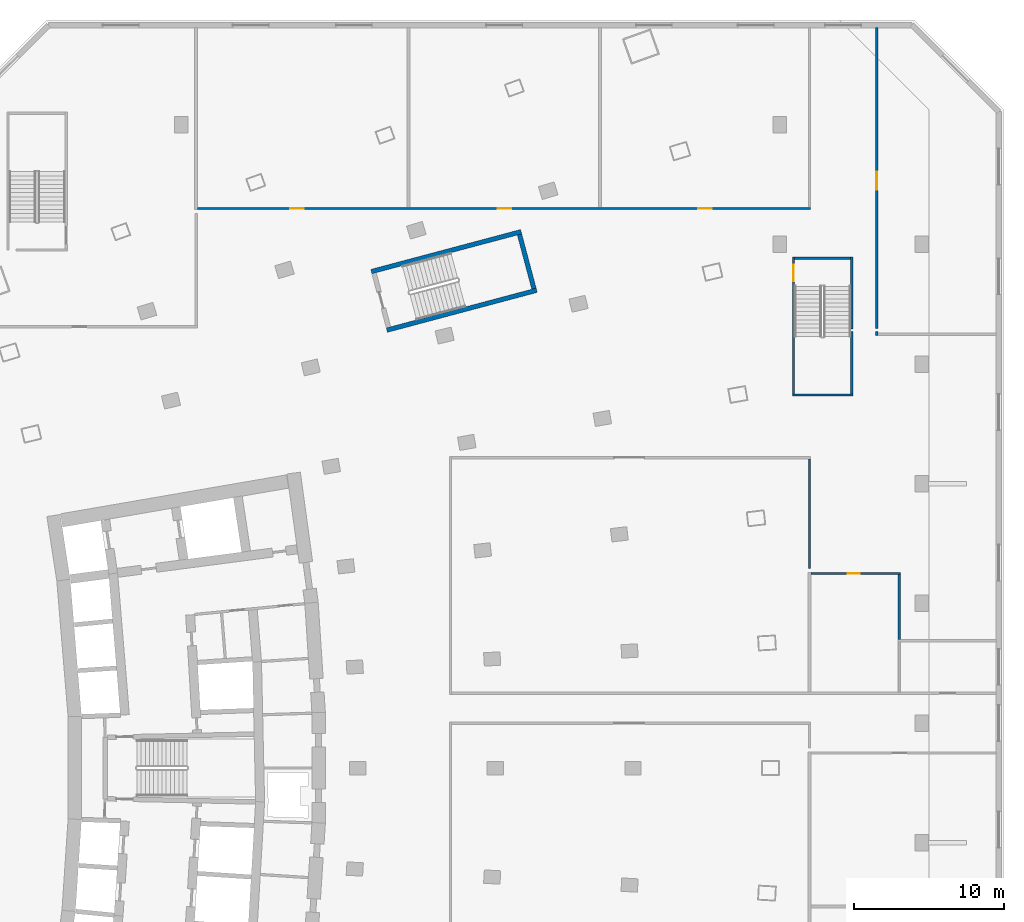
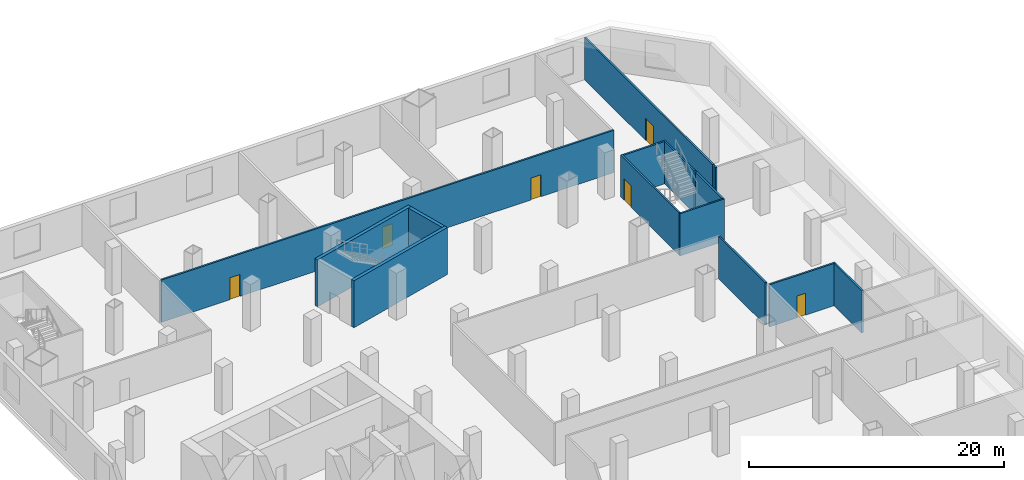
# One storey, part 9 of 16: 14 walls, 6 doors, 6 openings.
"""IFC4 building model written with IfcOpenShell, lengths in metres."""

import ifcopenshell
import ifcopenshell.guid

model = None  # the IFC model being written
_history = None  # IfcOwnerHistory: only IFC2X3 demands one
_inside = {}  # id of a spatial element -> (the spatial element, [elements in it])
_under = {}  # id of a project, library or spatial element -> (it, [spatial elements below it])
_declared = {}  # id of a project -> (the project, [libraries it declares])
_typed = {}  # id of a type object -> (the type object, [elements of that type])
_made_of = {}  # id of a material, layer set ... -> (it, [elements and type objects made of it])


def new_model(schema):
    """Start an empty IFC model of exactly this schema.

    Asked for "IFC4X3", IfcOpenShell would pick the latest addendum, in which some entities
    have other attributes; the version numbers below select the first issue.
    IFC2X3 requires an IfcOwnerHistory on every rooted entity: one is made here for all.
    """
    global model, _history
    if schema == "IFC4X3":
        model = ifcopenshell.file(schema_version=(4, 3, 0, 0))
    else:
        model = ifcopenshell.file(schema=schema)
    _inside.clear()
    _under.clear()
    _declared.clear()
    _typed.clear()
    _made_of.clear()
    _history = None
    if model.schema == "IFC2X3":
        org = make("IfcOrganization", Name="unknown")
        user = make(
            "IfcPersonAndOrganization",
            ThePerson=make("IfcPerson", FamilyName="unknown"),
            TheOrganization=org,
        )
        app = make(
            "IfcApplication",
            ApplicationDeveloper=org,
            Version="unknown",
            ApplicationFullName="unknown",
            ApplicationIdentifier="unknown",
        )
        _history = make(
            "IfcOwnerHistory",
            OwningUser=user,
            OwningApplication=app,
            ChangeAction="ADDED",
            CreationDate=0,
        )
    return model


def make(cls, **values):
    """One entity of the class cls with the attributes given. An attribute that is None is left unset."""
    return model.create_entity(
        cls, **{name: value for name, value in values.items() if value is not None}
    )


def rooted(cls, **values):
    """An entity with a GlobalId (a new one), such as an element, a storey or a relation."""
    return make(cls, GlobalId=ifcopenshell.guid.new(), OwnerHistory=_history, **values)


def si_unit(unit_type, name, prefix=None):
    """IfcSIUnit, for example si_unit("LENGTHUNIT", "METRE", prefix="MILLI")."""
    return make("IfcSIUnit", UnitType=unit_type, Prefix=prefix, Name=name)


def assignment(units):
    """IfcUnitAssignment: the units of a project."""
    return None if units is None else make("IfcUnitAssignment", Units=units)


def point(xyz):
    """IfcCartesianPoint."""
    return None if xyz is None else make("IfcCartesianPoint", Coordinates=xyz)


def direction(xyz):
    """IfcDirection."""
    return None if xyz is None else make("IfcDirection", DirectionRatios=xyz)


def frame(location, z_axis=None, x_axis=None):
    """IfcAxis2Placement3D, a coordinate frame: its origin and axes. An axis left out is left unset."""
    return make(
        "IfcAxis2Placement3D",
        Location=point(location),
        Axis=direction(z_axis),
        RefDirection=direction(x_axis),
    )


def frame_2d(location, x_axis=None):
    """IfcAxis2Placement2D, a coordinate frame in the plane: its origin and x axis."""
    return make(
        "IfcAxis2Placement2D", Location=point(location), RefDirection=direction(x_axis)
    )


def origin():
    """The frame at (0, 0, 0) with its axes left unset."""
    return frame((0.0, 0.0, 0.0))


def place(relative_to, where):
    """IfcLocalPlacement: puts the frame where relative to a parent placement (None: the world)."""
    return make(
        "IfcLocalPlacement", PlacementRelTo=relative_to, RelativePlacement=where
    )


def context(
    kind, dimensions, precision=None, world=None, true_north=None, identifier=None
):
    """IfcGeometricRepresentationContext, for example the 3D "Model" context."""
    return make(
        "IfcGeometricRepresentationContext",
        ContextIdentifier=identifier,
        ContextType=kind,
        CoordinateSpaceDimension=dimensions,
        Precision=precision,
        WorldCoordinateSystem=world,
        TrueNorth=true_north,
    )


def subcontext(parent, identifier, kind, view, scale=None):
    """IfcGeometricRepresentationSubContext, for example "Body" below "Model"."""
    return make(
        "IfcGeometricRepresentationSubContext",
        ContextIdentifier=identifier,
        ContextType=kind,
        ParentContext=parent,
        TargetScale=scale,
        TargetView=view,
    )


def project(units=None, contexts=None):
    """IfcProject with its units and contexts."""
    return rooted(
        "IfcProject",
        Name="project",
        RepresentationContexts=contexts,
        UnitsInContext=assignment(units),
    )


def spatial(cls, under=None, at=None, **own):
    """A site, building, storey or space (cls), placed at a placement, below another one or the project."""
    s = rooted(cls, ObjectPlacement=at, **own)
    if under is not None:
        _under.setdefault(under.id(), (under, []))[1].append(s)
    return s


def profile(cls, at=None, kind="AREA", **sizes):
    """A parametric profile (cls). Its sizes go by their IFC names, for example OverallWidth=200.0."""
    return make(cls, ProfileType=kind, Position=at, **sizes)


def rectangle(**sizes):
    """IfcRectangleProfileDef."""
    return profile("IfcRectangleProfileDef", **sizes)


def extrude(swept, where, along, depth):
    """IfcExtrudedAreaSolid: the profile swept, set in the frame where, extruded along a direction by depth."""
    return make(
        "IfcExtrudedAreaSolid",
        SweptArea=swept,
        Position=where,
        ExtrudedDirection=direction(along),
        Depth=depth,
    )


def shape(context_of_items, identifier, shape_type, items):
    """IfcShapeRepresentation: the items that make up one representation, for example the "Body"."""
    return make(
        "IfcShapeRepresentation",
        ContextOfItems=context_of_items,
        RepresentationIdentifier=identifier,
        RepresentationType=shape_type,
        Items=items,
    )


def material(Name=None, Category=None):
    """IfcMaterial."""
    return make("IfcMaterial", Name=Name, Category=Category)


def layer(
    of_material, thickness, ventilated=None, Name=None, Category=None, Priority=None
):
    """IfcMaterialLayer: one layer of a wall or slab, of a material (None: an air gap)."""
    return make(
        "IfcMaterialLayer",
        Material=of_material,
        LayerThickness=thickness,
        IsVentilated=ventilated,
        Name=Name,
        Category=Category,
        Priority=Priority,
    )


def layer_set(layers, Name=None):
    """IfcMaterialLayerSet."""
    return make("IfcMaterialLayerSet", MaterialLayers=layers, LayerSetName=Name)


def made_of(thing, what):
    """Note that an element or type object is made of a material, layer set ...; save() writes the relation."""
    if what is not None:
        _made_of.setdefault(what.id(), (what, []))[1].append(thing)
    return thing


def type_object(cls, material=None, **own):
    """A type object (cls), such as IfcWallType, which elements share."""
    return made_of(rooted(cls, **own), material)


def element(
    cls,
    number,
    at=None,
    inside=None,
    cuts=None,
    type_object=None,
    material=None,
    context=None,
    identifier="Body",
    shape_type=None,
    held_by="IfcProductDefinitionShape",
    body=None,
    shapes=None,
    **own,
):
    """One element of the class cls, such as IfcWall. Its Tag is "e" and its number.

    at: its placement. inside: the storey or other place that contains it. cuts: it is an
    opening in that element (IfcRelVoidsElement). A single representation is given by context,
    identifier, shape_type and body (its items); several are given by shapes. held_by: the class
    of the entity that holds the representations. save() writes the other relations.
    """
    e = rooted(cls, Tag="e%d" % number, ObjectPlacement=at, **own)
    if body is not None:
        shapes = [shape(context, identifier, shape_type, body)]
    if shapes is not None:
        e.Representation = make(held_by, Representations=shapes)
    if inside is not None:
        _inside.setdefault(inside.id(), (inside, []))[1].append(e)
    if cuts is not None:
        rooted(
            "IfcRelVoidsElement", RelatingBuildingElement=cuts, RelatedOpeningElement=e
        )
    if type_object is not None:
        _typed.setdefault(type_object.id(), (type_object, []))[1].append(e)
    return made_of(e, material)


def fill(opening, filler):
    """IfcRelFillsElement: the door or window that sits in an opening."""
    return rooted(
        "IfcRelFillsElement",
        RelatingOpeningElement=opening,
        RelatedBuildingElement=filler,
    )


def aggregate(whole, parts):
    """IfcRelAggregates: a whole, such as a stair, and the parts it consists of."""
    return rooted("IfcRelAggregates", RelatingObject=whole, RelatedObjects=parts)


def save(model, path):
    """Write the relations noted so far, then the file.

    IfcRelAggregates (storeys below a building ...), IfcRelContainedInSpatialStructure (elements
    in a storey), IfcRelDefinesByType, IfcRelAssociatesMaterial and IfcRelDeclares: one each for
    every whole, place, type object, material and project.
    """
    for whole, parts in _under.values():
        aggregate(whole, parts)
    for where, things in _inside.values():
        rooted(
            "IfcRelContainedInSpatialStructure",
            RelatedElements=things,
            RelatingStructure=where,
        )
    for kind, things in _typed.values():
        rooted("IfcRelDefinesByType", RelatedObjects=things, RelatingType=kind)
    for what, things in _made_of.values():
        rooted("IfcRelAssociatesMaterial", RelatedObjects=things, RelatingMaterial=what)
    for by, libraries in _declared.values():
        rooted("IfcRelDeclares", RelatingContext=by, RelatedDefinitions=libraries)
    model.write(path)


model = new_model("IFC4")

# Units and contexts
model_context = context("Model", 3, precision=1e-05, world=origin(), true_north=direction((0.0, 1.0)))
body_context = subcontext(model_context, "Body", "Model", "MODEL_VIEW")
ifc_project = project(units=[si_unit("LENGTHUNIT", "METRE"), si_unit("AREAUNIT", "SQUARE_METRE"), si_unit("VOLUMEUNIT", "CUBIC_METRE"), si_unit("PLANEANGLEUNIT", "RADIAN"), si_unit("MASSUNIT", "GRAM", prefix="KILO")], contexts=[model_context])

# Site, building, storey
site_placement = place(None, origin())
site = spatial("IfcSite", under=ifc_project, at=site_placement, CompositionType="ELEMENT")
building_placement = place(site_placement, origin())
building = spatial("IfcBuilding", under=site, at=building_placement, Name="Alderwake Tower", CompositionType="ELEMENT")
storey_placement = place(building_placement, frame((0.0, 0.0, 18.5)))
storey = spatial("IfcBuildingStorey", under=building, at=storey_placement, Name="L03", CompositionType="ELEMENT", Elevation=18.5)

# Walls
ifc_material_1 = material(Name="Concrete C70/85", Category="concrete")
ifc_layer_1 = layer(ifc_material_1, 0.300048828125)
ifc_layer_set_1 = layer_set([ifc_layer_1], Name="Core wall stair enclosure 300 C70-85")
wall_type_1 = type_object("IfcWallType", Name="Core wall stair enclosure 300 C70-85", PredefinedType="SHEAR", material=ifc_layer_set_1)
for number, where, z_axis, x_axis, name in (
    (1, (36.71142578125, 94.182373046875, 0.0), (0.0, 0.0, 1.0), (0.966309214305, 0.257383958996, 0.0), "Core wall CW.082"),
    (2, (37.75390625, 90.268798828125, 0.0), (0.0, 0.0, 1.0), (0.966309214305, 0.257383958996, 0.0), "Core wall CW.084"),
):
    element("IfcWall", number, at=place(storey_placement, frame(where, z_axis=z_axis, x_axis=x_axis)), inside=storey, type_object=wall_type_1, Name=name, PredefinedType="SHEAR", context=body_context, shape_type="SweptSolid", body=[
        extrude(rectangle(XDim=10.360107421875, YDim=0.300048828125, at=frame_2d((5.18017578125, 0.0))), origin(), (0.0, 0.0, 1.0), 4.5),
    ])
wall_1_placement = place(storey_placement, frame((47.581298828125, 93.041748046875, 0.0), z_axis=(0.0, 0.0, 1.0), x_axis=(-0.257366821694, 0.966313778796, 0.0)))
element("IfcWall", 3, at=wall_1_placement, inside=storey, type_object=wall_type_1, Name="Core wall CW.081", PredefinedType="SHEAR", context=body_context, shape_type="SweptSolid", body=[
    extrude(rectangle(XDim=3.749755859375, YDim=0.300048828125, at=frame_2d((1.875, 0.0))), origin(), (0.0, 0.0, 1.0), 4.5),
])

# Wall, openings, doors
ifc_material_2 = material(Name="Gypsum board on metal studs, rated")
ifc_layer_2 = layer(ifc_material_2, 0.159912109375)
ifc_layer_set_2 = layer_set([ifc_layer_2], Name="Corridor wall 160")
wall_type_2 = type_object("IfcWallType", Name="Corridor wall 160", PredefinedType="PARTITIONING", material=ifc_layer_set_2)
wall_2_placement = place(storey_placement, frame((66.080078125, 98.39990234375, 0.0), z_axis=(0.0, 0.0, 1.0), x_axis=(-1.0, 0.0, 0.0)))
wall_2 = element("IfcWall", 4, at=wall_2_placement, inside=storey, type_object=wall_type_2, Name="WL/L03/W32", PredefinedType="PARTITIONING", context=body_context, shape_type="SweptSolid", body=[
    extrude(rectangle(XDim=40.98095703125, YDim=0.159912109375, at=frame_2d((20.490478515625, 0.0))), origin(), (0.0, 0.0, 1.0), 4.050048828125),
])
opening_1_placement = place(wall_2_placement, frame((33.87890625, 0.0, 0.0)))
opening_1 = element("IfcOpeningElement", 5, at=opening_1_placement, cuts=wall_2, Name="Opening L03-04", PredefinedType="OPENING", context=body_context, shape_type="SweptSolid", body=[
    extrude(rectangle(XDim=0.89990234375, YDim=2.10009765625, at=frame_2d((0.449951171875, 1.050048828125))), frame((0.0, 0.08984375, 0.0), z_axis=(0.0, -1.0, 0.0), x_axis=(1.0, 0.0, 0.0)), (0.0, 0.0, 1.0), 0.179931640625),
])
opening_2_placement = place(wall_2_placement, frame((20.030029296875, 0.0, 0.0)))
opening_2 = element("IfcOpeningElement", 6, at=opening_2_placement, cuts=wall_2, Name="Opening L03-05", PredefinedType="OPENING", context=body_context, shape_type="SweptSolid", body=[
    extrude(rectangle(XDim=0.89990234375, YDim=2.10009765625, at=frame_2d((0.449951171875, 1.050048828125))), frame((0.0, 0.08984375, 0.0), z_axis=(0.0, -1.0, 0.0), x_axis=(1.0, 0.0, 0.0)), (0.0, 0.0, 1.0), 0.179931640625),
])
opening_3_placement = place(wall_2_placement, frame((6.6298828125, 0.0, 0.0)))
opening_3 = element("IfcOpeningElement", 7, at=opening_3_placement, cuts=wall_2, Name="Opening L03-06", PredefinedType="OPENING", context=body_context, shape_type="SweptSolid", body=[
    extrude(rectangle(XDim=0.89990234375, YDim=2.10009765625, at=frame_2d((0.449951171875, 1.050048828125))), frame((0.0, 0.08984375, 0.0), z_axis=(0.0, -1.0, 0.0), x_axis=(1.0, 0.0, 0.0)), (0.0, 0.0, 1.0), 0.179931640625),
])
ifc_material_3 = material(Name="Painted timber leaf", Category="wood")
door_type_1 = type_object("IfcDoorType", Name="Room door 900", OperationType="SINGLE_SWING_LEFT", PredefinedType="DOOR", material=ifc_material_3)
door_1_placement = place(opening_1_placement, origin())
door_1 = element("IfcDoor", 8, at=door_1_placement, inside=storey, type_object=door_type_1, Name="DR/L03/04", OperationType="SINGLE_SWING_LEFT", OverallHeight=2.10009765625, OverallWidth=0.89990234375, PredefinedType="DOOR", context=body_context, shape_type="SweptSolid", body=[
    extrude(rectangle(XDim=0.89990234375, YDim=2.10009765625, at=frame_2d((0.449951171875, 1.050048828125))), frame((0.0, 0.02490234375, 0.0), z_axis=(0.0, -1.0, 0.0), x_axis=(1.0, 0.0, 0.0)), (0.0, 0.0, 1.0), 0.050048828125),
])
fill(opening_1, door_1)
door_2_placement = place(opening_2_placement, origin())
door_2 = element("IfcDoor", 9, at=door_2_placement, inside=storey, type_object=door_type_1, Name="DR/L03/05", OperationType="SINGLE_SWING_LEFT", OverallHeight=2.10009765625, OverallWidth=0.89990234375, PredefinedType="DOOR", context=body_context, shape_type="SweptSolid", body=[
    extrude(rectangle(XDim=0.89990234375, YDim=2.10009765625, at=frame_2d((0.449951171875, 1.050048828125))), frame((0.0, 0.02490234375, 0.0), z_axis=(0.0, -1.0, 0.0), x_axis=(1.0, 0.0, 0.0)), (0.0, 0.0, 1.0), 0.050048828125),
])
fill(opening_2, door_2)
door_3_placement = place(opening_3_placement, origin())
door_3 = element("IfcDoor", 10, at=door_3_placement, inside=storey, type_object=door_type_1, Name="DR/L03/06", OperationType="SINGLE_SWING_LEFT", OverallHeight=2.10009765625, OverallWidth=0.89990234375, PredefinedType="DOOR", context=body_context, shape_type="SweptSolid", body=[
    extrude(rectangle(XDim=0.89990234375, YDim=2.10009765625, at=frame_2d((0.449951171875, 1.050048828125))), frame((0.0, 0.02490234375, 0.0), z_axis=(0.0, -1.0, 0.0), x_axis=(1.0, 0.0, 0.0)), (0.0, 0.0, 1.0), 0.050048828125),
])
fill(opening_3, door_3)

# Wall, opening, door
wall_3_placement = place(storey_placement, frame((66.10009765625, 74.0009765625, 0.0), z_axis=(0.0, 0.0, 1.0), x_axis=(1.0, 0.0, 0.0)))
wall_3 = element("IfcWall", 11, at=wall_3_placement, inside=storey, type_object=wall_type_2, Name="WL/L03/W48", PredefinedType="PARTITIONING", context=body_context, shape_type="SweptSolid", body=[
    extrude(rectangle(XDim=5.97998046875, YDim=0.159912109375, at=frame_2d((2.989990234375, 0.0))), origin(), (0.0, 0.0, 1.0), 4.050048828125),
])
opening_4_placement = place(wall_3_placement, frame((2.449951171875, 0.0, 0.0)))
opening_4 = element("IfcOpeningElement", 12, at=opening_4_placement, cuts=wall_3, Name="Opening L03-13", PredefinedType="OPENING", context=body_context, shape_type="SweptSolid", body=[
    extrude(rectangle(XDim=0.800048828125, YDim=2.10009765625, at=frame_2d((0.39990234375, 1.050048828125))), frame((0.0, 0.08984375, 0.0), z_axis=(0.0, -1.0, 0.0), x_axis=(1.0, 0.0, 0.0)), (0.0, 0.0, 1.0), 0.179931640625),
])
ifc_material_4 = material(Name="Painted timber leaf", Category="wood")
door_type_2 = type_object("IfcDoorType", Name="Bathroom door 800", OperationType="SINGLE_SWING_LEFT", PredefinedType="DOOR", material=ifc_material_4)
door_4_placement = place(opening_4_placement, origin())
door_4 = element("IfcDoor", 13, at=door_4_placement, inside=storey, type_object=door_type_2, Name="DR/L03/13", OperationType="SINGLE_SWING_LEFT", OverallHeight=2.10009765625, OverallWidth=0.800048828125, PredefinedType="DOOR", context=body_context, shape_type="SweptSolid", body=[
    extrude(rectangle(XDim=0.800048828125, YDim=2.10009765625, at=frame_2d((0.39990234375, 1.050048828125))), frame((0.0, 0.02490234375, 0.0), z_axis=(0.0, -1.0, 0.0), x_axis=(1.0, 0.0, 0.0)), (0.0, 0.0, 1.0), 0.050048828125),
])
fill(opening_4, door_4)

# Walls
wall_4_placement = place(storey_placement, frame((66.0, 81.669921875, 0.0), z_axis=(0.0, 0.0, 1.0), x_axis=(0.0, -1.0, 0.0)))
element("IfcWall", 14, at=wall_4_placement, inside=storey, type_object=wall_type_2, Name="WL/L03/W49", PredefinedType="PARTITIONING", context=body_context, shape_type="SweptSolid", body=[
    extrude(rectangle(XDim=7.335693359375, YDim=0.159912109375, at=frame_2d((3.66796875, 0.0))), origin(), (0.0, 0.0, 1.0), 4.050048828125),
])
wall_5_placement = place(storey_placement, frame((70.5, 89.919921875, 0.0), z_axis=(0.0, 0.0, 1.0), x_axis=(0.0, 1.0, 0.0)))
element("IfcWall", 15, at=wall_5_placement, inside=storey, type_object=wall_type_2, Name="WL/L03/W51", PredefinedType="PARTITIONING", context=body_context, shape_type="SweptSolid", body=[
    extrude(rectangle(XDim=0.25, YDim=0.159912109375, at=frame_2d((0.125, 0.0))), origin(), (0.0, 0.0, 1.0), 4.050048828125),
])

# Wall, opening, door
wall_6_placement = place(storey_placement, frame((70.5, 90.377685546875, 0.0), z_axis=(0.0, 0.0, 1.0), x_axis=(0.0, 1.0, 0.0)))
wall_6 = element("IfcWall", 16, at=wall_6_placement, inside=storey, type_object=wall_type_2, Name="WL/L03/W52", PredefinedType="PARTITIONING", context=body_context, shape_type="SweptSolid", body=[
    extrude(rectangle(XDim=20.121337890625, YDim=0.159912109375, at=frame_2d((10.060546875, 0.0))), origin(), (0.0, 0.0, 1.0), 4.050048828125),
])
opening_5_placement = place(wall_6_placement, frame((9.283203125, 0.0, 0.0)))
opening_5 = element("IfcOpeningElement", 17, at=opening_5_placement, cuts=wall_6, Name="Opening L03-15", PredefinedType="OPENING", context=body_context, shape_type="SweptSolid", body=[
    extrude(rectangle(XDim=1.199951171875, YDim=2.10009765625, at=frame_2d((0.60009765625, 1.050048828125))), frame((0.0, 0.08984375, 0.0), z_axis=(0.0, -1.0, 0.0), x_axis=(1.0, 0.0, 0.0)), (0.0, 0.0, 1.0), 0.179931640625),
])
ifc_material_5 = material(Name="Steel door leaf in steel frame", Category="steel")
door_type_3 = type_object("IfcDoorType", Name="Plant room door 1200 steel", OperationType="SINGLE_SWING_LEFT", PredefinedType="DOOR", material=ifc_material_5)
door_5_placement = place(opening_5_placement, origin())
door_5 = element("IfcDoor", 18, at=door_5_placement, inside=storey, type_object=door_type_3, Name="DR/L03/15", OperationType="SINGLE_SWING_LEFT", OverallHeight=2.10009765625, OverallWidth=1.199951171875, PredefinedType="DOOR", context=body_context, shape_type="SweptSolid", body=[
    extrude(rectangle(XDim=1.199951171875, YDim=2.10009765625, at=frame_2d((0.60009765625, 1.050048828125))), frame((0.0, 0.02490234375, 0.0), z_axis=(0.0, -1.0, 0.0), x_axis=(1.0, 0.0, 0.0)), (0.0, 0.0, 1.0), 0.050048828125),
])
fill(opening_5, door_5)

# Walls
wall_7_placement = place(storey_placement, frame((72.0, 73.9208984375, 0.0), z_axis=(0.0, 0.0, 1.0), x_axis=(0.0, -1.0, 0.0)))
element("IfcWall", 19, at=wall_7_placement, inside=storey, type_object=wall_type_2, Name="WL/L03/W54", PredefinedType="PARTITIONING", context=body_context, shape_type="SweptSolid", body=[
    extrude(rectangle(XDim=4.33984375, YDim=0.159912109375, at=frame_2d((2.169921875, 0.0))), origin(), (0.0, 0.0, 1.0), 4.050048828125),
])
ifc_material_6 = material(Name="Gypsum shaft wall system, rated")
ifc_layer_3 = layer(ifc_material_6, 0.14990234375)
ifc_layer_set_3 = layer_set([ifc_layer_3], Name="Riser and shaft wall 150")
wall_type_3 = type_object("IfcWallType", Name="Riser and shaft wall 150", PredefinedType="PARTITIONING", material=ifc_layer_set_3)
wall_8_placement = place(storey_placement, frame((68.825927734375, 90.361083984375, 0.0), z_axis=(0.0, 0.0, 1.0), x_axis=(0.0, 1.0, 0.0)))
element("IfcWall", 20, at=wall_8_placement, inside=storey, type_object=wall_type_3, Name="WL/L03/W24", PredefinedType="PARTITIONING", context=body_context, shape_type="SweptSolid", body=[
    extrude(rectangle(XDim=4.789794921875, YDim=0.14990234375, at=frame_2d((2.39501953125, 0.0))), origin(), (0.0, 0.0, 1.0), 4.050048828125),
])
wall_9_placement = place(storey_placement, frame((68.7509765625, 95.075927734375, 0.0), z_axis=(0.0, 0.0, 1.0), x_axis=(-1.0, 0.0, 0.0)))
element("IfcWall", 21, at=wall_9_placement, inside=storey, type_object=wall_type_3, Name="WL/L03/W25", PredefinedType="PARTITIONING", context=body_context, shape_type="SweptSolid", body=[
    extrude(rectangle(XDim=3.75, YDim=0.14990234375, at=frame_2d((1.875, 0.0))), origin(), (0.0, 0.0, 1.0), 4.050048828125),
])
ifc_material_7 = material(Name="Concrete C40/50", Category="concrete")
ifc_layer_4 = layer(ifc_material_7, 0.14990234375)
ifc_layer_set_4 = layer_set([ifc_layer_4], Name="Stair shaft wall 150 C40/50")
wall_type_4 = type_object("IfcWallType", Name="Stair shaft wall 150 C40/50", PredefinedType="SHEAR", material=ifc_layer_set_4)
wall_10_placement = place(storey_placement, frame((64.85107421875, 85.926025390625, 0.0), z_axis=(0.0, 0.0, 1.0), x_axis=(1.0, 0.0, 0.0)))
element("IfcWall", 22, at=wall_10_placement, inside=storey, type_object=wall_type_4, Name="WL/L03/W19", PredefinedType="SHEAR", context=body_context, shape_type="SweptSolid", body=[
    extrude(rectangle(XDim=4.0498046875, YDim=0.14990234375, at=frame_2d((2.02490234375, 0.0))), origin(), (0.0, 0.0, 1.0), 4.050048828125),
])

# Wall, opening, door
wall_11_placement = place(storey_placement, frame((64.926025390625, 86.0009765625, 0.0), z_axis=(0.0, 0.0, 1.0), x_axis=(0.0, 1.0, 0.0)))
wall_11 = element("IfcWall", 23, at=wall_11_placement, inside=storey, type_object=wall_type_4, Name="WL/L03/W20", PredefinedType="SHEAR", context=body_context, shape_type="SweptSolid", body=[
    extrude(rectangle(XDim=9.14990234375, YDim=0.14990234375, at=frame_2d((4.574951171875, 0.0))), origin(), (0.0, 0.0, 1.0), 4.050048828125),
])
opening_6_placement = place(wall_11_placement, frame((7.549072265625, 0.0, 0.0)))
opening_6 = element("IfcOpeningElement", 24, at=opening_6_placement, cuts=wall_11, Name="Opening L03-18", PredefinedType="OPENING", context=body_context, shape_type="SweptSolid", body=[
    extrude(rectangle(XDim=1.10009765625, YDim=2.10009765625, at=frame_2d((0.550048828125, 1.050048828125))), frame((0.0, 0.0849609375, 0.0), z_axis=(0.0, -1.0, 0.0), x_axis=(1.0, 0.0, 0.0)), (0.0, 0.0, 1.0), 0.169921875),
])
ifc_material_8 = material(Name="Steel-framed fire door leaf", Category="steel")
door_type_4 = type_object("IfcDoorType", Name="Stair door 1100 fire-rated", OperationType="SINGLE_SWING_LEFT", PredefinedType="DOOR", material=ifc_material_8)
door_6_placement = place(opening_6_placement, origin())
door_6 = element("IfcDoor", 25, at=door_6_placement, inside=storey, type_object=door_type_4, Name="DR/L03/18", OperationType="SINGLE_SWING_LEFT", OverallHeight=2.10009765625, OverallWidth=1.10009765625, PredefinedType="DOOR", context=body_context, shape_type="SweptSolid", body=[
    extrude(rectangle(XDim=1.10009765625, YDim=2.10009765625, at=frame_2d((0.550048828125, 1.050048828125))), frame((0.0, 0.02490234375, 0.0), z_axis=(0.0, -1.0, 0.0), x_axis=(1.0, 0.0, 0.0)), (0.0, 0.0, 1.0), 0.050048828125),
])
fill(opening_6, door_6)

# Wall
wall_12_placement = place(storey_placement, frame((68.825927734375, 86.0009765625, 0.0), z_axis=(0.0, 0.0, 1.0), x_axis=(0.0, 1.0, 0.0)))
element("IfcWall", 26, at=wall_12_placement, inside=storey, type_object=wall_type_4, Name="WL/L03/W23", PredefinedType="SHEAR", context=body_context, shape_type="SweptSolid", body=[
    extrude(rectangle(XDim=4.1640625, YDim=0.14990234375, at=frame_2d((2.08203125, 0.0))), origin(), (0.0, 0.0, 1.0), 4.050048828125),
])

save(model, "model.ifc")
